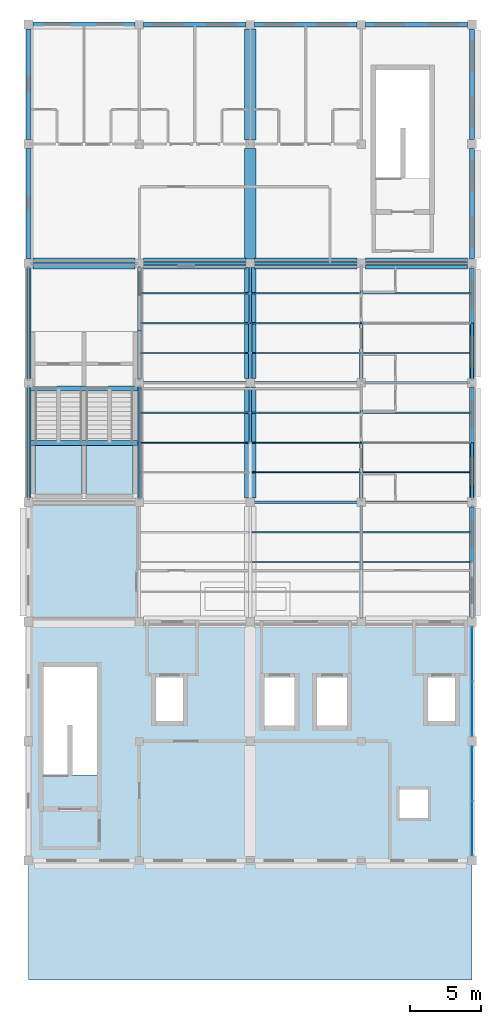
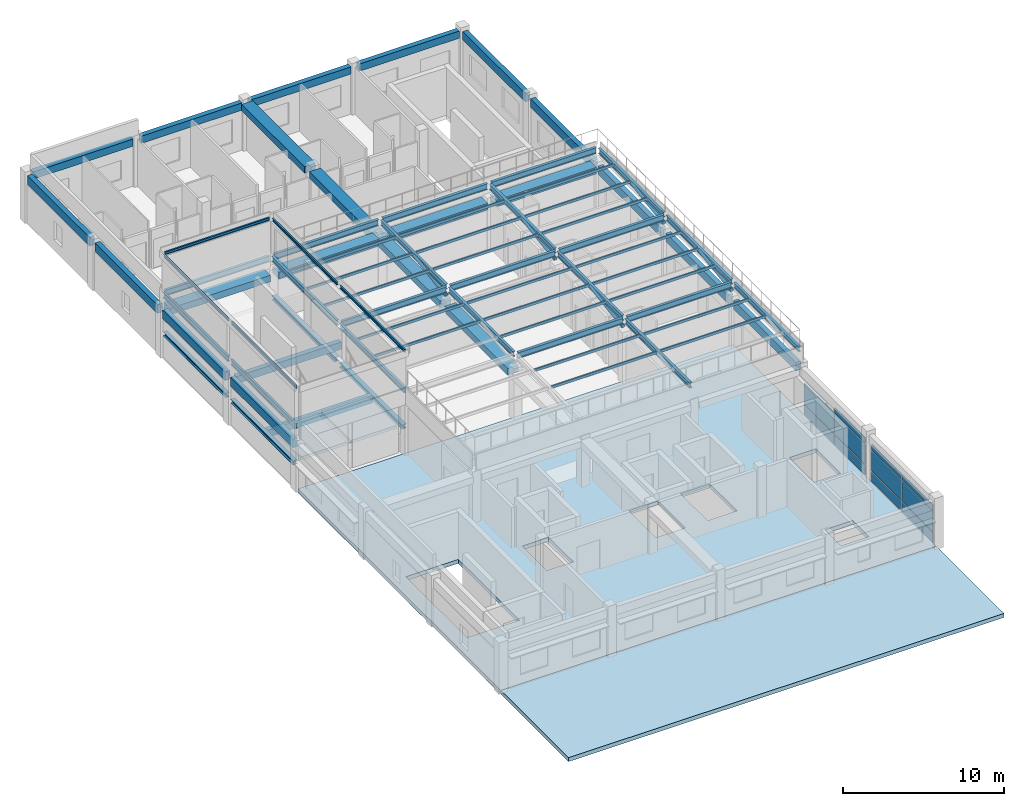
# One storey, part 4 of 20: 53 beams, 26 members, 11 plates, 4 slabs, 4 elements without a shape of their own.
"""IFC4 building model written with IfcOpenShell, lengths in metres."""

from ifc_helpers import new_model, si_unit, direction, frame, origin, origin_2d, place, context, subcontext, project, spatial, polyline, rectangle, hollow_rectangle, hollow_circle, i_section, outline, extrude, material, layer, layer_set, material_profile, profile_set, type_object, element, aggregate, save


model = new_model("IFC4")

# Units and contexts
model_context = context("Model", 3, precision=1e-05, world=origin(), true_north=direction((0.0, 1.0)))
body_context = subcontext(model_context, "Body", "Model", "MODEL_VIEW")
ifc_project = project(units=[si_unit("LENGTHUNIT", "METRE"), si_unit("AREAUNIT", "SQUARE_METRE"), si_unit("VOLUMEUNIT", "CUBIC_METRE"), si_unit("PLANEANGLEUNIT", "RADIAN"), si_unit("MASSUNIT", "GRAM", prefix="KILO"), si_unit("THERMODYNAMICTEMPERATUREUNIT", "KELVIN"), si_unit("POWERUNIT", "WATT")], contexts=[model_context])

# Site, building, storey
site_placement = place(None, origin())
site = spatial("IfcSite", under=ifc_project, at=site_placement, CompositionType="ELEMENT")
building_placement = place(site_placement, origin())
building = spatial("IfcBuilding", under=site, at=building_placement, Name="Srebrne Nadtorze General Hospital", CompositionType="ELEMENT")
storey_placement = place(building_placement, frame((0.0, 0.0, 33.89990234375)))
storey = spatial("IfcBuildingStorey", under=building, at=storey_placement, Name="L08", CompositionType="ELEMENT", Elevation=33.89990234375)

# Beams
ifc_material_1 = material(Name="Concrete C35/45", Category="concrete")
ifc_material_profile_1 = material_profile(ifc_material_1, rectangle(XDim=0.35009765625, YDim=0.64990234375, at=origin_2d()), Name="RC-BM-350x650")
ifc_profile_set_1 = profile_set([ifc_material_profile_1], Name="Concrete C35/45")
beam_type_1 = type_object("IfcBeamType", Name="Edge beam RC 350x650", PredefinedType="BEAM", material=ifc_profile_set_1)
for number, where, z_axis, x_axis, name in (
    (1, (23.39990234375, 59.125, 3.275146484375), (0.0, 1.0, 0.0), (-1.0, 0.0, 0.0), "Beam BM-L08-Y-1355"),
    (2, (23.39990234375, 67.52490234375, 3.275146484375), (0.0, 1.0, 0.0), (-1.0, 0.0, 0.0), "Beam BM-L08-Y-1356"),
    (3, (23.39990234375, 75.925048828125, 3.275146484375), (0.0, 1.0, 0.0), (-1.0, 0.0, 0.0), "Beam BM-L08-Y-1357"),
    (4, (23.39990234375, 84.324951171875, 3.275146484375), (0.0, 1.0, 0.0), (-1.0, 0.0, 0.0), "Beam BM-L08-Y-1358"),
    (5, (54.60009765625, 50.72509765625, 3.275146484375), (0.0, 1.0, 0.0), (-1.0, 0.0, 0.0), "Beam BM-L08-Y-1368"),
    (6, (54.60009765625, 59.125, 3.275146484375), (0.0, 1.0, 0.0), (-1.0, 0.0, 0.0), "Beam BM-L08-Y-1369"),
    (7, (54.60009765625, 67.52490234375, 3.275146484375), (0.0, 1.0, 0.0), (-1.0, 0.0, 0.0), "Beam BM-L08-Y-1370"),
    (8, (54.60009765625, 75.925048828125, 3.275146484375), (0.0, 1.0, 0.0), (-1.0, 0.0, 0.0), "Beam BM-L08-Y-1371"),
    (9, (54.60009765625, 84.324951171875, 3.275146484375), (0.0, 1.0, 0.0), (-1.0, 0.0, 0.0), "Beam BM-L08-Y-1372"),
):
    element("IfcBeam", number, at=place(storey_placement, frame(where, z_axis=z_axis, x_axis=x_axis)), inside=storey, type_object=beam_type_1, Name=name, PredefinedType="BEAM", context=body_context, shape_type="SweptSolid", body=[
        extrude(rectangle(XDim=0.35009765625, YDim=0.64990234375, at=origin_2d()), origin(), (0.0, 0.0, 1.0), 7.75),
    ])
ifc_material_2 = material(Name="Steel S355J2", Category="steel")
ifc_material_profile_2 = material_profile(ifc_material_2, i_section(OverallWidth=0.179931640625, OverallDepth=0.39990234375, WebThickness=0.008544921875, FlangeThickness=0.013427734375, FilletRadius=0.02099609375, at=origin_2d()), Name="IPE-400")
ifc_profile_set_2 = profile_set([ifc_material_profile_2], Name="Steel S355J2")
beam_type_2 = type_object("IfcBeamType", Name="Helipad beam IPE 400", PredefinedType="BEAM", material=ifc_profile_set_2)
for number, where, z_axis, x_axis, name in (
    (10, (23.39990234375, 58.97998046875, 4.64013671875), (0.0, 1.0, 0.0), (-1.0, 0.0, 0.0), "Helipad girder Y 15"),
    (11, (23.39990234375, 67.3798828125, 4.64013671875), (0.0, 1.0, 0.0), (-1.0, 0.0, 0.0), "Helipad girder Y 16"),
    (12, (31.199951171875, 58.97998046875, 4.64013671875), (0.0, 1.0, 0.0), (-1.0, 0.0, 0.0), "Helipad girder Y 18"),
    (13, (31.199951171875, 67.3798828125, 4.64013671875), (0.0, 1.0, 0.0), (-1.0, 0.0, 0.0), "Helipad girder Y 19"),
    (14, (39.0, 58.97998046875, 4.64013671875), (0.0, 1.0, 0.0), (-1.0, 0.0, 0.0), "Helipad girder Y 21"),
    (15, (39.0, 67.3798828125, 4.64013671875), (0.0, 1.0, 0.0), (-1.0, 0.0, 0.0), "Helipad girder Y 22"),
    (16, (46.800048828125, 50.580078125, 4.64013671875), (0.0, 1.0, 0.0), (-1.0, 0.0, 0.0), "Helipad girder Y 23"),
    (17, (46.800048828125, 58.97998046875, 4.64013671875), (0.0, 1.0, 0.0), (-1.0, 0.0, 0.0), "Helipad girder Y 24"),
    (18, (46.800048828125, 67.3798828125, 4.64013671875), (0.0, 1.0, 0.0), (-1.0, 0.0, 0.0), "Helipad girder Y 25"),
    (19, (54.60009765625, 50.580078125, 4.64013671875), (0.0, 1.0, 0.0), (-1.0, 0.0, 0.0), "Helipad girder Y 26"),
    (20, (54.60009765625, 58.97998046875, 4.64013671875), (0.0, 1.0, 0.0), (-1.0, 0.0, 0.0), "Helipad girder Y 27"),
    (21, (54.60009765625, 67.3798828125, 4.64013671875), (0.0, 1.0, 0.0), (-1.0, 0.0, 0.0), "Helipad girder Y 28"),
):
    element("IfcBeam", number, at=place(storey_placement, frame(where, z_axis=z_axis, x_axis=x_axis)), inside=storey, type_object=beam_type_2, Name=name, PredefinedType="BEAM", context=body_context, shape_type="SweptSolid", body=[
        extrude(i_section(OverallWidth=0.179931640625, OverallDepth=0.39990234375, WebThickness=0.008544921875, FlangeThickness=0.013427734375, FilletRadius=0.02099609375, at=origin_2d()), origin(), (0.0, 0.0, 1.0), 8.0400390625),
    ])
ifc_material_3 = material(Name="Steel S355J2", Category="steel")
ifc_material_profile_3 = material_profile(ifc_material_3, i_section(OverallWidth=0.18994140625, OverallDepth=0.449951171875, WebThickness=0.009521484375, FlangeThickness=0.0146484375, FilletRadius=0.02099609375, at=origin_2d()), Name="IPE-450")
ifc_profile_set_3 = profile_set([ifc_material_profile_3], Name="Steel S355J2")
beam_type_3 = type_object("IfcBeamType", Name="Helipad beam IPE 450", PredefinedType="BEAM", material=ifc_profile_set_3)
for number, where, z_axis, x_axis, name in (
    (22, (39.14990234375, 58.800048828125, 4.614990234375), (1.0, 0.0, 0.0), (0.0, 1.0, 0.0), "Helipad girder X 6"),
    (23, (46.949951171875, 58.800048828125, 4.614990234375), (1.0, 0.0, 0.0), (0.0, 1.0, 0.0), "Helipad girder X 7"),
    (24, (31.35009765625, 67.199951171875, 4.614990234375), (1.0, 0.0, 0.0), (0.0, 1.0, 0.0), "Helipad girder X 8"),
    (25, (39.14990234375, 67.199951171875, 4.614990234375), (1.0, 0.0, 0.0), (0.0, 1.0, 0.0), "Helipad girder X 9"),
    (26, (46.949951171875, 67.199951171875, 4.614990234375), (1.0, 0.0, 0.0), (0.0, 1.0, 0.0), "Helipad girder X 10"),
    (27, (23.550048828125, 75.60009765625, 4.614990234375), (1.0, 0.0, 0.0), (0.0, 1.0, 0.0), "Helipad girder X 11"),
    (28, (31.35009765625, 75.60009765625, 4.614990234375), (1.0, 0.0, 0.0), (0.0, 1.0, 0.0), "Helipad girder X 12"),
    (29, (39.14990234375, 75.60009765625, 4.614990234375), (1.0, 0.0, 0.0), (0.0, 1.0, 0.0), "Helipad girder X 13"),
    (30, (46.949951171875, 75.60009765625, 4.614990234375), (1.0, 0.0, 0.0), (0.0, 1.0, 0.0), "Helipad girder X 14"),
):
    element("IfcBeam", number, at=place(storey_placement, frame(where, z_axis=z_axis, x_axis=x_axis)), inside=storey, type_object=beam_type_3, Name=name, PredefinedType="BEAM", context=body_context, shape_type="SweptSolid", body=[
        extrude(i_section(OverallWidth=0.18994140625, OverallDepth=0.449951171875, WebThickness=0.009521484375, FlangeThickness=0.0146484375, FilletRadius=0.02099609375, at=origin_2d()), origin(), (0.0, 0.0, 1.0), 7.5),
    ])

# Members
ifc_material_4 = material(Name="Steel S355J2", Category="steel")
ifc_material_profile_4 = material_profile(ifc_material_4, hollow_circle(Radius=0.136474609375, WallThickness=0.010009765625, at=origin_2d()), Name="CHS-273x10")
ifc_profile_set_4 = profile_set([ifc_material_profile_4], Name="Steel S355J2")
member_type_1 = type_object("IfcMemberType", Name="Outrigger strut CHS 273x10", PredefinedType="STRUT", material=ifc_profile_set_4)
for number, where, z_axis, x_axis, name in (
    (31, (39.0, 67.375, 4.02001953125), (0.0, 0.988338406853, 0.152273417045), (-1.0, 0.0, 0.0), "Helipad support strut 22"),
    (32, (46.800048828125, 58.97509765625, 4.02001953125), (0.0, 0.988338406853, 0.152273417045), (-1.0, 0.0, 0.0), "Helipad support strut 24"),
    (33, (46.800048828125, 67.375, 4.02001953125), (0.0, 0.988338406853, 0.152273417045), (-1.0, 0.0, 0.0), "Helipad support strut 25"),
    (34, (54.60009765625, 58.97509765625, 4.02001953125), (0.0, 0.988338406853, 0.152273417045), (-1.0, 0.0, 0.0), "Helipad support strut 27"),
    (35, (54.60009765625, 67.375, 4.02001953125), (0.0, 0.988338406853, 0.152273417045), (-1.0, 0.0, 0.0), "Helipad support strut 28"),
):
    element("IfcMember", number, at=place(storey_placement, frame(where, z_axis=z_axis, x_axis=x_axis)), inside=storey, type_object=member_type_1, Name=name, PredefinedType="STRUT", context=body_context, shape_type="SweptSolid", body=[
        extrude(hollow_circle(Radius=0.136474609375, WallThickness=0.010009765625, at=origin_2d()), origin(), (0.0, 0.0, 1.0), 4.072509765625),
    ])

# Beams
ifc_material_5 = material(Name="Steel S355J2", Category="steel")
ifc_material_profile_5 = material_profile(ifc_material_5, i_section(OverallWidth=0.300048828125, OverallDepth=0.31005859375, WebThickness=0.009033203125, FlangeThickness=0.015380859375, FilletRadius=0.027099609375, at=origin_2d()), Name="HEA-320")
ifc_profile_set_5 = profile_set([ifc_material_profile_5], Name="Steel S355J2")
beam_type_4 = type_object("IfcBeamType", Name="Primary beam HEA 320", PredefinedType="BEAM", material=ifc_profile_set_5)
for number, where, z_axis, x_axis, name in (
    (36, (23.39990234375, 59.125, 1.795166015625), (0.0, 1.0, 0.0), (-1.0, 0.0, 0.0), "Helipad stair column stringer 3 7"),
    (37, (23.39990234375, 67.52490234375, 1.795166015625), (0.0, 1.0, 0.0), (-1.0, 0.0, 0.0), "Helipad stair column stringer 3 8"),
):
    element("IfcBeam", number, at=place(storey_placement, frame(where, z_axis=z_axis, x_axis=x_axis)), inside=storey, type_object=beam_type_4, Name=name, PredefinedType="BEAM", context=body_context, shape_type="SweptSolid", body=[
        extrude(i_section(OverallWidth=0.300048828125, OverallDepth=0.31005859375, WebThickness=0.009033203125, FlangeThickness=0.015380859375, FilletRadius=0.027099609375, at=origin_2d()), origin(), (0.0, 0.0, 1.0), 7.75),
    ])
beam_1_placement = place(storey_placement, frame((31.199951171875, 59.10009765625, 1.795166015625), z_axis=(0.0, 1.0, 0.0), x_axis=(-1.0, 0.0, 0.0)))
element("IfcBeam", 38, at=beam_1_placement, inside=storey, type_object=beam_type_4, Name="Helipad stair column stringer 4 7", PredefinedType="BEAM", context=body_context, shape_type="SweptSolid", body=[
    extrude(i_section(OverallWidth=0.300048828125, OverallDepth=0.31005859375, WebThickness=0.009033203125, FlangeThickness=0.015380859375, FilletRadius=0.027099609375, at=origin_2d()), origin(), (0.0, 0.0, 1.0), 7.7998046875),
])
beam_2_placement = place(storey_placement, frame((31.199951171875, 67.5, 1.795166015625), z_axis=(0.0, 1.0, 0.0), x_axis=(-1.0, 0.0, 0.0)))
element("IfcBeam", 39, at=beam_2_placement, inside=storey, type_object=beam_type_4, Name="Helipad stair column stringer 4 8", PredefinedType="BEAM", context=body_context, shape_type="SweptSolid", body=[
    extrude(i_section(OverallWidth=0.300048828125, OverallDepth=0.31005859375, WebThickness=0.009033203125, FlangeThickness=0.015380859375, FilletRadius=0.027099609375, at=origin_2d()), origin(), (0.0, 0.0, 1.0), 7.800048828125),
])
ifc_material_6 = material(Name="Concrete C40/50", Category="concrete")
ifc_material_profile_6 = material_profile(ifc_material_6, rectangle(XDim=0.800048828125, YDim=0.5, at=origin_2d()), Name="RC-BM-800x500")
ifc_profile_set_6 = profile_set([ifc_material_profile_6], Name="Concrete C40/50")
beam_type_5 = type_object("IfcBeamType", Name="Primary beam RC 800x500", PredefinedType="BEAM", material=ifc_profile_set_6)
beam_3_placement = place(storey_placement, frame((23.72509765625, 75.60009765625, 3.35009765625), z_axis=(1.0, 0.0, 0.0), x_axis=(0.0, 1.0, 0.0)))
element("IfcBeam", 40, at=beam_3_placement, inside=storey, type_object=beam_type_5, Name="Beam BM-L08-X-1344", PredefinedType="BEAM", context=body_context, shape_type="SweptSolid", body=[
    extrude(rectangle(XDim=0.800048828125, YDim=0.5, at=origin_2d()), origin(), (0.0, 0.0, 1.0), 7.1748046875),
])
for number, where, z_axis, x_axis, name in (
    (41, (31.5, 75.60009765625, 3.35009765625), (1.0, 0.0, 0.0), (0.0, 1.0, 0.0), "Beam BM-L08-X-1345"),
    (42, (39.300048828125, 75.60009765625, 3.35009765625), (1.0, 0.0, 0.0), (0.0, 1.0, 0.0), "Beam BM-L08-X-1346"),
):
    element("IfcBeam", number, at=place(storey_placement, frame(where, z_axis=z_axis, x_axis=x_axis)), inside=storey, type_object=beam_type_5, Name=name, PredefinedType="BEAM", context=body_context, shape_type="SweptSolid", body=[
        extrude(rectangle(XDim=0.800048828125, YDim=0.5, at=origin_2d()), origin(), (0.0, 0.0, 1.0), 7.199951171875),
    ])
beam_4_placement = place(storey_placement, frame((47.10009765625, 75.60009765625, 3.35009765625), z_axis=(1.0, 0.0, 0.0), x_axis=(0.0, 1.0, 0.0)))
element("IfcBeam", 43, at=beam_4_placement, inside=storey, type_object=beam_type_5, Name="Beam BM-L08-X-1347", PredefinedType="BEAM", context=body_context, shape_type="SweptSolid", body=[
    extrude(rectangle(XDim=0.800048828125, YDim=0.5, at=origin_2d()), origin(), (0.0, 0.0, 1.0), 7.1748046875),
])
beam_5_placement = place(storey_placement, frame((39.0, 59.10009765625, 3.35009765625), z_axis=(0.0, 1.0, 0.0), x_axis=(-1.0, 0.0, 0.0)))
element("IfcBeam", 44, at=beam_5_placement, inside=storey, type_object=beam_type_5, Name="Beam BM-L08-Y-1362", PredefinedType="BEAM", context=body_context, shape_type="SweptSolid", body=[
    extrude(rectangle(XDim=0.800048828125, YDim=0.5, at=origin_2d()), origin(), (0.0, 0.0, 1.0), 7.7998046875),
])
for number, where, z_axis, x_axis, name in (
    (45, (39.0, 67.5, 3.35009765625), (0.0, 1.0, 0.0), (-1.0, 0.0, 0.0), "Beam BM-L08-Y-1363"),
    (46, (39.0, 75.89990234375, 3.35009765625), (0.0, 1.0, 0.0), (-1.0, 0.0, 0.0), "Beam BM-L08-Y-1364"),
    (47, (39.0, 84.300048828125, 3.35009765625), (0.0, 1.0, 0.0), (-1.0, 0.0, 0.0), "Beam BM-L08-Y-1365"),
):
    element("IfcBeam", number, at=place(storey_placement, frame(where, z_axis=z_axis, x_axis=x_axis)), inside=storey, type_object=beam_type_5, Name=name, PredefinedType="BEAM", context=body_context, shape_type="SweptSolid", body=[
        extrude(rectangle(XDim=0.800048828125, YDim=0.5, at=origin_2d()), origin(), (0.0, 0.0, 1.0), 7.800048828125),
    ])
ifc_material_7 = material(Name="Steel S355J2", Category="steel")
ifc_material_profile_7 = material_profile(ifc_material_7, i_section(OverallWidth=0.110107421875, OverallDepth=0.219970703125, WebThickness=0.005859375, FlangeThickness=0.00927734375, FilletRadius=0.011962890625, at=origin_2d()), Name="IPE-220")
ifc_profile_set_7 = profile_set([ifc_material_profile_7], Name="Steel S355J2")
beam_type_6 = type_object("IfcBeamType", Name="Secondary joist IPE 220", PredefinedType="JOIST", material=ifc_profile_set_7)
beam_6_placement = place(storey_placement, frame((23.550048828125, 75.60009765625, 7.60009765625), z_axis=(1.0, 0.0, 0.0), x_axis=(0.0, 1.0, 0.0)))
element("IfcBeam", 48, at=beam_6_placement, inside=storey, type_object=beam_type_6, Name="Vestibule roof beam X 9", PredefinedType="JOIST", context=body_context, shape_type="SweptSolid", body=[
    extrude(i_section(OverallWidth=0.110107421875, OverallDepth=0.219970703125, WebThickness=0.005859375, FlangeThickness=0.00927734375, FilletRadius=0.011962890625, at=origin_2d()), origin(), (0.0, 0.0, 1.0), 7.5),
])
for number, where, z_axis, x_axis, name in (
    (49, (23.39990234375, 58.97998046875, 7.60009765625), (0.0, 1.0, 0.0), (-1.0, 0.0, 0.0), "Vestibule roof beam Y 3-7"),
    (50, (23.39990234375, 67.3798828125, 7.60009765625), (0.0, 1.0, 0.0), (-1.0, 0.0, 0.0), "Vestibule roof beam Y 3-8"),
    (51, (31.199951171875, 58.97998046875, 7.60009765625), (0.0, 1.0, 0.0), (-1.0, 0.0, 0.0), "Vestibule roof beam Y 4-7"),
    (52, (31.199951171875, 67.3798828125, 7.60009765625), (0.0, 1.0, 0.0), (-1.0, 0.0, 0.0), "Vestibule roof beam Y 4-8"),
):
    element("IfcBeam", number, at=place(storey_placement, frame(where, z_axis=z_axis, x_axis=x_axis)), inside=storey, type_object=beam_type_6, Name=name, PredefinedType="JOIST", context=body_context, shape_type="SweptSolid", body=[
        extrude(i_section(OverallWidth=0.110107421875, OverallDepth=0.219970703125, WebThickness=0.005859375, FlangeThickness=0.00927734375, FilletRadius=0.011962890625, at=origin_2d()), origin(), (0.0, 0.0, 1.0), 8.0400390625),
    ])

# Members
ifc_material_8 = material(Name="Steel S355J2", Category="steel")
ifc_material_profile_8 = material_profile(ifc_material_8, hollow_rectangle(XDim=0.10009765625, YDim=0.199951171875, WallThickness=0.008056640625, InnerFilletRadius=0.008056640625, OuterFilletRadius=0.011962890625, at=origin_2d()), Name="RHS-200x100x8")
ifc_profile_set_8 = profile_set([ifc_material_profile_8], Name="Steel S355J2")
member_type_2 = type_object("IfcMemberType", Name="Secondary purlin RHS 200x100x8", PredefinedType="PURLIN", material=ifc_profile_set_8)
for number, where, z_axis, x_axis, name in (
    (53, (31.302001953125, 63.0, 4.739990234375), (1.0, 0.0, 0.0), (0.0, 1.0, 0.0), "Helipad deck purlin 5"),
    (54, (31.302001953125, 65.10009765625, 4.739990234375), (1.0, 0.0, 0.0), (0.0, 1.0, 0.0), "Helipad deck purlin 6"),
    (55, (31.302001953125, 69.300048828125, 4.739990234375), (1.0, 0.0, 0.0), (0.0, 1.0, 0.0), "Helipad deck purlin 7"),
    (56, (31.302001953125, 71.39990234375, 4.739990234375), (1.0, 0.0, 0.0), (0.0, 1.0, 0.0), "Helipad deck purlin 8"),
    (57, (31.302001953125, 73.5, 4.739990234375), (1.0, 0.0, 0.0), (0.0, 1.0, 0.0), "Helipad deck purlin 9"),
    (58, (39.10205078125, 54.60009765625, 4.739990234375), (1.0, 0.0, 0.0), (0.0, 1.0, 0.0), "Helipad deck purlin 11"),
    (59, (39.10205078125, 56.699951171875, 4.739990234375), (1.0, 0.0, 0.0), (0.0, 1.0, 0.0), "Helipad deck purlin 12"),
    (60, (39.10205078125, 60.89990234375, 4.739990234375), (1.0, 0.0, 0.0), (0.0, 1.0, 0.0), "Helipad deck purlin 13"),
    (61, (39.10205078125, 63.0, 4.739990234375), (1.0, 0.0, 0.0), (0.0, 1.0, 0.0), "Helipad deck purlin 14"),
    (62, (39.10205078125, 65.10009765625, 4.739990234375), (1.0, 0.0, 0.0), (0.0, 1.0, 0.0), "Helipad deck purlin 15"),
    (63, (39.10205078125, 69.300048828125, 4.739990234375), (1.0, 0.0, 0.0), (0.0, 1.0, 0.0), "Helipad deck purlin 16"),
    (64, (39.10205078125, 71.39990234375, 4.739990234375), (1.0, 0.0, 0.0), (0.0, 1.0, 0.0), "Helipad deck purlin 17"),
    (65, (39.10205078125, 73.5, 4.739990234375), (1.0, 0.0, 0.0), (0.0, 1.0, 0.0), "Helipad deck purlin 18"),
    (66, (46.902099609375, 54.60009765625, 4.739990234375), (1.0, 0.0, 0.0), (0.0, 1.0, 0.0), "Helipad deck purlin 20"),
    (67, (46.902099609375, 56.699951171875, 4.739990234375), (1.0, 0.0, 0.0), (0.0, 1.0, 0.0), "Helipad deck purlin 21"),
    (68, (46.902099609375, 60.89990234375, 4.739990234375), (1.0, 0.0, 0.0), (0.0, 1.0, 0.0), "Helipad deck purlin 22"),
    (69, (46.902099609375, 63.0, 4.739990234375), (1.0, 0.0, 0.0), (0.0, 1.0, 0.0), "Helipad deck purlin 23"),
    (70, (46.902099609375, 65.10009765625, 4.739990234375), (1.0, 0.0, 0.0), (0.0, 1.0, 0.0), "Helipad deck purlin 24"),
    (71, (46.902099609375, 69.300048828125, 4.739990234375), (1.0, 0.0, 0.0), (0.0, 1.0, 0.0), "Helipad deck purlin 25"),
    (72, (46.902099609375, 71.39990234375, 4.739990234375), (1.0, 0.0, 0.0), (0.0, 1.0, 0.0), "Helipad deck purlin 26"),
    (73, (46.902099609375, 73.5, 4.739990234375), (1.0, 0.0, 0.0), (0.0, 1.0, 0.0), "Helipad deck purlin 27"),
):
    element("IfcMember", number, at=place(storey_placement, frame(where, z_axis=z_axis, x_axis=x_axis)), inside=storey, type_object=member_type_2, Name=name, PredefinedType="PURLIN", context=body_context, shape_type="SweptSolid", body=[
        extrude(hollow_rectangle(XDim=0.10009765625, YDim=0.199951171875, WallThickness=0.008056640625, InnerFilletRadius=0.008056640625, OuterFilletRadius=0.011962890625, at=origin_2d()), origin(), (0.0, 0.0, 1.0), 7.595947265625),
    ])

# Beams
ifc_material_9 = material(Name="Concrete C35/45", Category="concrete")
ifc_material_profile_9 = material_profile(ifc_material_9, rectangle(XDim=0.35009765625, YDim=0.550048828125, at=origin_2d()), Name="RC-BM-350x550")
ifc_profile_set_9 = profile_set([ifc_material_profile_9], Name="Concrete C35/45")
beam_type_7 = type_object("IfcBeamType", Name="Spandrel lintel beam RC 350x550", PredefinedType="LINTEL", material=ifc_profile_set_9)
beam_7_placement = place(storey_placement, frame((23.5400390625, 66.820068359375, 3.405029296875), z_axis=(1.0, 0.0, 0.0), x_axis=(0.0, 1.0, 0.0)))
element("IfcBeam", 74, at=beam_7_placement, inside=storey, type_object=beam_type_7, Name="Helipad lower vestibule header beam", PredefinedType="LINTEL", context=body_context, shape_type="SweptSolid", body=[
    extrude(rectangle(XDim=0.35009765625, YDim=0.550048828125, at=origin_2d()), origin(), (0.0, 0.0, 1.0), 7.52001953125),
])
beam_8_placement = place(storey_placement, frame((23.72509765625, 92.39990234375, 3.3251953125), z_axis=(1.0, 0.0, 0.0), x_axis=(0.0, 1.0, 0.0)))
element("IfcBeam", 75, at=beam_8_placement, inside=storey, type_object=beam_type_7, Name="Beam BM-L08-X-1348", PredefinedType="LINTEL", context=body_context, shape_type="SweptSolid", body=[
    extrude(rectangle(XDim=0.35009765625, YDim=0.550048828125, at=origin_2d()), origin(), (0.0, 0.0, 1.0), 7.1748046875),
])
for number, where, z_axis, x_axis, name in (
    (76, (31.5, 92.39990234375, 3.3251953125), (1.0, 0.0, 0.0), (0.0, 1.0, 0.0), "Beam BM-L08-X-1349"),
    (77, (39.300048828125, 92.39990234375, 3.3251953125), (1.0, 0.0, 0.0), (0.0, 1.0, 0.0), "Beam BM-L08-X-1350"),
):
    element("IfcBeam", number, at=place(storey_placement, frame(where, z_axis=z_axis, x_axis=x_axis)), inside=storey, type_object=beam_type_7, Name=name, PredefinedType="LINTEL", context=body_context, shape_type="SweptSolid", body=[
        extrude(rectangle(XDim=0.35009765625, YDim=0.550048828125, at=origin_2d()), origin(), (0.0, 0.0, 1.0), 7.199951171875),
    ])
beam_9_placement = place(storey_placement, frame((47.10009765625, 92.39990234375, 3.3251953125), z_axis=(1.0, 0.0, 0.0), x_axis=(0.0, 1.0, 0.0)))
element("IfcBeam", 78, at=beam_9_placement, inside=storey, type_object=beam_type_7, Name="Beam BM-L08-X-1351", PredefinedType="LINTEL", context=body_context, shape_type="SweptSolid", body=[
    extrude(rectangle(XDim=0.35009765625, YDim=0.550048828125, at=origin_2d()), origin(), (0.0, 0.0, 1.0), 7.1748046875),
])
beam_10_placement = place(storey_placement, frame((23.5400390625, 62.9599609375, 1.675048828125), z_axis=(1.0, 0.0, 0.0), x_axis=(0.0, 1.0, 0.0)))
element("IfcBeam", 79, at=beam_10_placement, inside=storey, type_object=beam_type_7, Name="Helipad stair landing trimmer 2", PredefinedType="LINTEL", context=body_context, shape_type="SweptSolid", body=[
    extrude(rectangle(XDim=0.35009765625, YDim=0.550048828125, at=origin_2d()), origin(), (0.0, 0.0, 1.0), 7.52001953125),
])

# Curtain wall, plates
ifc_material_10 = material(Name="Anodised Aluminium", Category="aluminium")
curtain_wall_type = type_object("IfcCurtainWallType", Name="Unitised curtain wall 7750x2950", PredefinedType="NOTDEFINED", material=ifc_material_10)
curtain_wall_1_placement = place(storey_placement, origin())
curtain_wall_1 = element("IfcCurtainWall", 80, at=curtain_wall_1_placement, inside=storey, type_object=curtain_wall_type, Name="Curtain wall CW-158", PredefinedType="NOTDEFINED")
ifc_material_11 = material(Name="Triple Low-E Glazing", Category="glass")
ifc_layer_1 = layer(ifc_material_11, 0.050048828125)
ifc_layer_set_1 = layer_set([ifc_layer_1], Name="Triple Low-E Glazing")
plate_type = type_object("IfcPlateType", Name="Glazed curtain panel 50", PredefinedType="CURTAIN_PANEL", material=ifc_layer_set_1)
plate_1_placement = place(storey_placement, frame((54.60009765625, 35.87744140625, 0.06005859375), z_axis=(0.0, 0.0, 1.0), x_axis=(0.0, 1.0, 0.0)))
plate_1 = element("IfcPlate", 81, at=plate_1_placement, type_object=plate_type, Name="CW-158 panel 1.1", PredefinedType="CURTAIN_PANEL", context=body_context, shape_type="SweptSolid", body=[
    extrude(rectangle(XDim=3.784912109375, YDim=0.050048828125, at=origin_2d()), origin(), (0.0, 0.0, 1.0), 0.760009765625),
])
plate_2_placement = place(storey_placement, frame((54.60009765625, 35.87744140625, 0.880126953125), z_axis=(0.0, 0.0, 1.0), x_axis=(0.0, 1.0, 0.0)))
plate_2 = element("IfcPlate", 82, at=plate_2_placement, type_object=plate_type, Name="CW-158 panel 1.2", PredefinedType="CURTAIN_PANEL", context=body_context, shape_type="SweptSolid", body=[
    extrude(rectangle(XDim=3.784912109375, YDim=0.050048828125, at=origin_2d()), origin(), (0.0, 0.0, 1.0), 1.5400390625),
])
plate_3_placement = place(storey_placement, frame((54.60009765625, 35.87744140625, 2.47998046875), z_axis=(0.0, 0.0, 1.0), x_axis=(0.0, 1.0, 0.0)))
plate_3 = element("IfcPlate", 83, at=plate_3_placement, type_object=plate_type, Name="CW-158 panel 1.3", PredefinedType="CURTAIN_PANEL", context=body_context, shape_type="SweptSolid", body=[
    extrude(rectangle(XDim=3.784912109375, YDim=0.050048828125, at=origin_2d()), origin(), (0.0, 0.0, 1.0), 0.409912109375),
])
plate_4_placement = place(storey_placement, frame((54.60009765625, 39.722412109375, 0.06005859375), z_axis=(0.0, 0.0, 1.0), x_axis=(0.0, 1.0, 0.0)))
plate_4 = element("IfcPlate", 84, at=plate_4_placement, type_object=plate_type, Name="CW-158 panel 2.1", PredefinedType="CURTAIN_PANEL", context=body_context, shape_type="SweptSolid", body=[
    extrude(rectangle(XDim=3.784912109375, YDim=0.050048828125, at=origin_2d()), origin(), (0.0, 0.0, 1.0), 0.760009765625),
])
plate_5_placement = place(storey_placement, frame((54.60009765625, 39.722412109375, 0.880126953125), z_axis=(0.0, 0.0, 1.0), x_axis=(0.0, 1.0, 0.0)))
plate_5 = element("IfcPlate", 85, at=plate_5_placement, type_object=plate_type, Name="CW-158 panel 2.2", PredefinedType="CURTAIN_PANEL", context=body_context, shape_type="SweptSolid", body=[
    extrude(rectangle(XDim=3.784912109375, YDim=0.050048828125, at=origin_2d()), origin(), (0.0, 0.0, 1.0), 1.5400390625),
])
plate_6_placement = place(storey_placement, frame((54.60009765625, 39.722412109375, 2.47998046875), z_axis=(0.0, 0.0, 1.0), x_axis=(0.0, 1.0, 0.0)))
plate_6 = element("IfcPlate", 86, at=plate_6_placement, type_object=plate_type, Name="CW-158 panel 2.3", PredefinedType="CURTAIN_PANEL", context=body_context, shape_type="SweptSolid", body=[
    extrude(rectangle(XDim=3.784912109375, YDim=0.050048828125, at=origin_2d()), origin(), (0.0, 0.0, 1.0), 0.409912109375),
])
aggregate(curtain_wall_1, [plate_1, plate_2, plate_3, plate_4, plate_5, plate_6])

curtain_wall_2_placement = place(storey_placement, origin())
curtain_wall_2 = element("IfcCurtainWall", 87, at=curtain_wall_2_placement, inside=storey, type_object=curtain_wall_type, Name="Curtain wall CW-159", PredefinedType="NOTDEFINED")
plate_7_placement = place(storey_placement, frame((54.60009765625, 44.27880859375, 0.065185546875), z_axis=(0.0, 0.0, 1.0), x_axis=(0.0, 1.0, 0.0)))
plate_7 = element("IfcPlate", 88, at=plate_7_placement, type_object=plate_type, Name="CW-159 panel 1.1", PredefinedType="CURTAIN_PANEL", context=body_context, shape_type="SweptSolid", body=[
    extrude(rectangle(XDim=3.777587890625, YDim=0.050048828125, at=origin_2d()), origin(), (0.0, 0.0, 1.0), 0.75244140625),
])
plate_8_placement = place(storey_placement, frame((54.60009765625, 44.27880859375, 0.8828125), z_axis=(0.0, 0.0, 1.0), x_axis=(0.0, 1.0, 0.0)))
plate_8 = element("IfcPlate", 89, at=plate_8_placement, type_object=plate_type, Name="CW-159 panel 1.2", PredefinedType="CURTAIN_PANEL", context=body_context, shape_type="SweptSolid", body=[
    extrude(rectangle(XDim=3.777587890625, YDim=0.050048828125, at=origin_2d()), origin(), (0.0, 0.0, 1.0), 1.534912109375),
])
plate_9_placement = place(storey_placement, frame((54.60009765625, 44.27880859375, 2.482421875), z_axis=(0.0, 0.0, 1.0), x_axis=(0.0, 1.0, 0.0)))
plate_9 = element("IfcPlate", 90, at=plate_9_placement, type_object=plate_type, Name="CW-159 panel 1.3", PredefinedType="CURTAIN_PANEL", context=body_context, shape_type="SweptSolid", body=[
    extrude(rectangle(XDim=3.777587890625, YDim=0.050048828125, at=origin_2d()), origin(), (0.0, 0.0, 1.0), 0.402587890625),
])
plate_10_placement = place(storey_placement, frame((54.60009765625, 48.121337890625, 0.065185546875), z_axis=(0.0, 0.0, 1.0), x_axis=(0.0, 1.0, 0.0)))
plate_10 = element("IfcPlate", 91, at=plate_10_placement, type_object=plate_type, Name="CW-159 panel 2.1", PredefinedType="CURTAIN_PANEL", context=body_context, shape_type="SweptSolid", body=[
    extrude(rectangle(XDim=3.777587890625, YDim=0.050048828125, at=origin_2d()), origin(), (0.0, 0.0, 1.0), 0.75244140625),
])
plate_11_placement = place(storey_placement, frame((54.60009765625, 48.121337890625, 0.8828125), z_axis=(0.0, 0.0, 1.0), x_axis=(0.0, 1.0, 0.0)))
plate_11 = element("IfcPlate", 92, at=plate_11_placement, type_object=plate_type, Name="CW-159 panel 2.2", PredefinedType="CURTAIN_PANEL", context=body_context, shape_type="SweptSolid", body=[
    extrude(rectangle(XDim=3.777587890625, YDim=0.050048828125, at=origin_2d()), origin(), (0.0, 0.0, 1.0), 1.534912109375),
])
aggregate(curtain_wall_2, [plate_7, plate_8, plate_9, plate_10, plate_11])

# Slab
ifc_material_12 = material(Name="Concrete C35/45", Category="concrete")
ifc_layer_2 = layer(ifc_material_12, 0.300048828125)
ifc_layer_set_2 = layer_set([ifc_layer_2], Name="Concrete C35/45")
slab_type_1 = type_object("IfcSlabType", Name="Main roof slab 300", PredefinedType="ROOF", material=ifc_layer_set_2)
slab_1_placement = place(storey_placement, frame((0.0, 0.0, -0.2998046875)))
element("IfcSlab", 93, at=slab_1_placement, inside=storey, type_object=slab_type_1, Name="Volume ceiling roof slab RF-L07-02", PredefinedType="ROOF", context=body_context, shape_type="SweptSolid", body=[
    extrude(outline(polyline([(23.39990234375, 25.199951171875), (54.60009765625, 25.199951171875), (54.60009765625, 33.60009765625), (23.39990234375, 33.60009765625), (23.39990234375, 25.199951171875)])), origin(), (0.0, 0.0, 1.0), 0.2998046875),
])

# Stair, slab
ifc_material_13 = material(Name="Steel S355J2", Category="steel")
stair_type = type_object("IfcStairType", Name="Helipad access stair 390", PredefinedType="HALF_TURN_STAIR", material=ifc_material_13)
stair_1_placement = place(storey_placement, origin())
stair_1 = element("IfcStair", 94, at=stair_1_placement, inside=storey, type_object=stair_type, Name="Helipad access stair ST-09", PredefinedType="HALF_TURN_STAIR")
ifc_material_14 = material(Name="Concrete C35/45", Category="concrete")
ifc_layer_3 = layer(ifc_material_14, 0.219970703125)
ifc_layer_set_3 = layer_set([ifc_layer_3], Name="Concrete C35/45")
slab_type_2 = type_object("IfcSlabType", Name="Stair landing slab 220", PredefinedType="LANDING", material=ifc_layer_set_3)
slab_2_placement = place(storey_placement, frame((0.0, 0.0, 1.72998046875)))
slab_2 = element("IfcSlab", 95, at=slab_2_placement, type_object=slab_type_2, Name="ST-09 landing 1", PredefinedType="LANDING", context=body_context, shape_type="SweptSolid", body=[
    extrude(outline(polyline([(23.85009765625, 59.25), (27.14990234375, 59.25), (27.14990234375, 62.9599609375), (23.85009765625, 62.9599609375), (23.85009765625, 59.25)])), origin(), (0.0, 0.0, 1.0), 0.22021484375),
])
aggregate(stair_1, [slab_2])

stair_2_placement = place(storey_placement, origin())
stair_2 = element("IfcStair", 96, at=stair_2_placement, inside=storey, type_object=stair_type, Name="Helipad access stair ST-10", PredefinedType="HALF_TURN_STAIR")
slab_3_placement = place(storey_placement, frame((0.0, 0.0, 1.72998046875)))
slab_3 = element("IfcSlab", 97, at=slab_3_placement, type_object=slab_type_2, Name="ST-10 landing 1", PredefinedType="LANDING", context=body_context, shape_type="SweptSolid", body=[
    extrude(outline(polyline([(27.449951171875, 59.25), (30.75, 59.25), (30.75, 62.9599609375), (27.449951171875, 62.9599609375), (27.449951171875, 59.25)])), origin(), (0.0, 0.0, 1.0), 0.22021484375),
])
aggregate(stair_2, [slab_3])

# Slab
ifc_material_15 = material(Name="Concrete C35/45", Category="concrete")
ifc_layer_4 = layer(ifc_material_15, 0.300048828125)
ifc_layer_set_4 = layer_set([ifc_layer_4], Name="Concrete C35/45")
slab_type_3 = type_object("IfcSlabType", Name="Suspended floor slab 300", PredefinedType="FLOOR", material=ifc_layer_set_4)
slab_4_placement = place(storey_placement, frame((0.0, 0.0, -0.2998046875)))
element("IfcSlab", 98, at=slab_4_placement, inside=storey, type_object=slab_type_3, Name="Suspended floor slab SL-L08-WS", PredefinedType="FLOOR", context=body_context, shape_type="SweptSolid", body=[
    extrude(outline(polyline([(54.60009765625, 33.60009765625), (54.60009765625, 58.800048828125), (23.39990234375, 58.800048828125), (23.39990234375, 33.60009765625), (54.60009765625, 33.60009765625)]), holes=[polyline([(49.5, 38.60009765625), (51.5, 38.60009765625), (51.5, 36.60009765625), (49.5, 36.60009765625), (49.5, 38.60009765625)]), polyline([(28.199951171875, 47.199951171875), (28.199951171875, 39.60498046875), (24.449951171875, 39.60498046875), (24.449951171875, 47.199951171875), (28.199951171875, 47.199951171875)]), polyline([(42.10009765625, 46.4599609375), (42.10009765625, 43.110107421875), (40.0, 43.110107421875), (40.0, 46.4599609375), (42.10009765625, 46.4599609375)]), polyline([(45.800048828125, 46.4599609375), (45.800048828125, 43.110107421875), (43.699951171875, 43.110107421875), (43.699951171875, 46.4599609375), (45.800048828125, 46.4599609375)]), polyline([(34.25, 46.4599609375), (34.25, 43.409912109375), (32.35009765625, 43.409912109375), (32.35009765625, 46.4599609375), (34.25, 46.4599609375)]), polyline([(53.39990234375, 46.4599609375), (53.39990234375, 43.409912109375), (51.5, 43.409912109375), (51.5, 46.4599609375), (53.39990234375, 46.4599609375)])]), origin(), (0.0, 0.0, 1.0), 0.2998046875),
])

save(model, "model.ifc")
